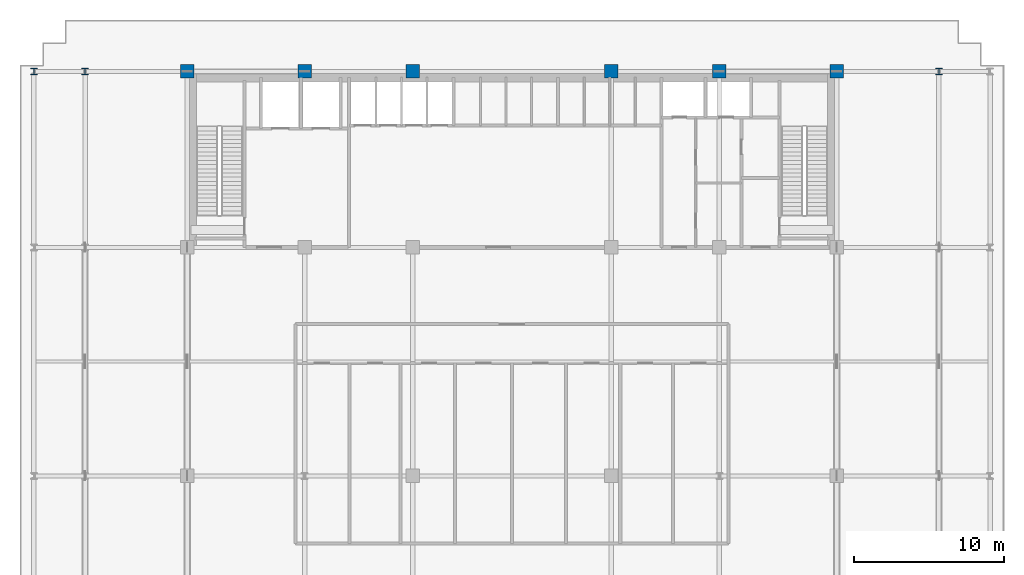
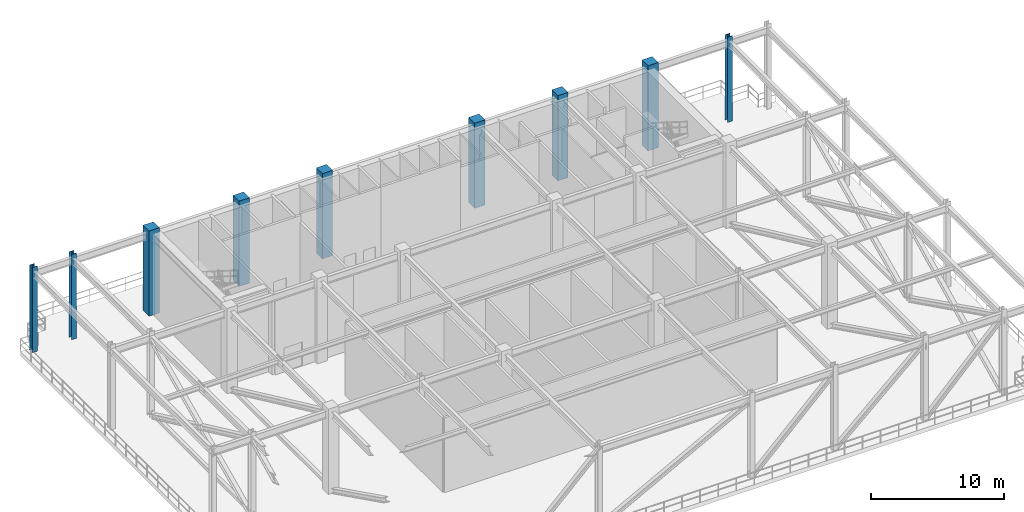
# One storey, part 2 of 16: 9 columns.
"""IFC4 building model written with IfcOpenShell, lengths in metres."""

import ifcopenshell
import ifcopenshell.guid

model = None  # the IFC model being written
_history = None  # IfcOwnerHistory: only IFC2X3 demands one
_inside = {}  # id of a spatial element -> (the spatial element, [elements in it])
_under = {}  # id of a project, library or spatial element -> (it, [spatial elements below it])
_declared = {}  # id of a project -> (the project, [libraries it declares])
_typed = {}  # id of a type object -> (the type object, [elements of that type])
_made_of = {}  # id of a material, layer set ... -> (it, [elements and type objects made of it])


def new_model(schema):
    """Start an empty IFC model of exactly this schema.

    Asked for "IFC4X3", IfcOpenShell would pick the latest addendum, in which some entities
    have other attributes; the version numbers below select the first issue.
    IFC2X3 requires an IfcOwnerHistory on every rooted entity: one is made here for all.
    """
    global model, _history
    if schema == "IFC4X3":
        model = ifcopenshell.file(schema_version=(4, 3, 0, 0))
    else:
        model = ifcopenshell.file(schema=schema)
    _inside.clear()
    _under.clear()
    _declared.clear()
    _typed.clear()
    _made_of.clear()
    _history = None
    if model.schema == "IFC2X3":
        org = make("IfcOrganization", Name="unknown")
        user = make(
            "IfcPersonAndOrganization",
            ThePerson=make("IfcPerson", FamilyName="unknown"),
            TheOrganization=org,
        )
        app = make(
            "IfcApplication",
            ApplicationDeveloper=org,
            Version="unknown",
            ApplicationFullName="unknown",
            ApplicationIdentifier="unknown",
        )
        _history = make(
            "IfcOwnerHistory",
            OwningUser=user,
            OwningApplication=app,
            ChangeAction="ADDED",
            CreationDate=0,
        )
    return model


def make(cls, **values):
    """One entity of the class cls with the attributes given. An attribute that is None is left unset."""
    return model.create_entity(
        cls, **{name: value for name, value in values.items() if value is not None}
    )


def rooted(cls, **values):
    """An entity with a GlobalId (a new one), such as an element, a storey or a relation."""
    return make(cls, GlobalId=ifcopenshell.guid.new(), OwnerHistory=_history, **values)


def si_unit(unit_type, name, prefix=None):
    """IfcSIUnit, for example si_unit("LENGTHUNIT", "METRE", prefix="MILLI")."""
    return make("IfcSIUnit", UnitType=unit_type, Prefix=prefix, Name=name)


def assignment(units):
    """IfcUnitAssignment: the units of a project."""
    return None if units is None else make("IfcUnitAssignment", Units=units)


def point(xyz):
    """IfcCartesianPoint."""
    return None if xyz is None else make("IfcCartesianPoint", Coordinates=xyz)


def direction(xyz):
    """IfcDirection."""
    return None if xyz is None else make("IfcDirection", DirectionRatios=xyz)


def frame(location, z_axis=None, x_axis=None):
    """IfcAxis2Placement3D, a coordinate frame: its origin and axes. An axis left out is left unset."""
    return make(
        "IfcAxis2Placement3D",
        Location=point(location),
        Axis=direction(z_axis),
        RefDirection=direction(x_axis),
    )


def frame_2d(location, x_axis=None):
    """IfcAxis2Placement2D, a coordinate frame in the plane: its origin and x axis."""
    return make(
        "IfcAxis2Placement2D", Location=point(location), RefDirection=direction(x_axis)
    )


def origin():
    """The frame at (0, 0, 0) with its axes left unset."""
    return frame((0.0, 0.0, 0.0))


def origin_2d():
    """The frame at (0, 0) in the plane with its x axis left unset."""
    return frame_2d((0.0, 0.0))


def place(relative_to, where):
    """IfcLocalPlacement: puts the frame where relative to a parent placement (None: the world)."""
    return make(
        "IfcLocalPlacement", PlacementRelTo=relative_to, RelativePlacement=where
    )


def context(
    kind, dimensions, precision=None, world=None, true_north=None, identifier=None
):
    """IfcGeometricRepresentationContext, for example the 3D "Model" context."""
    return make(
        "IfcGeometricRepresentationContext",
        ContextIdentifier=identifier,
        ContextType=kind,
        CoordinateSpaceDimension=dimensions,
        Precision=precision,
        WorldCoordinateSystem=world,
        TrueNorth=true_north,
    )


def subcontext(parent, identifier, kind, view, scale=None):
    """IfcGeometricRepresentationSubContext, for example "Body" below "Model"."""
    return make(
        "IfcGeometricRepresentationSubContext",
        ContextIdentifier=identifier,
        ContextType=kind,
        ParentContext=parent,
        TargetScale=scale,
        TargetView=view,
    )


def project(units=None, contexts=None):
    """IfcProject with its units and contexts."""
    return rooted(
        "IfcProject",
        Name="project",
        RepresentationContexts=contexts,
        UnitsInContext=assignment(units),
    )


def spatial(cls, under=None, at=None, **own):
    """A site, building, storey or space (cls), placed at a placement, below another one or the project."""
    s = rooted(cls, ObjectPlacement=at, **own)
    if under is not None:
        _under.setdefault(under.id(), (under, []))[1].append(s)
    return s


def profile(cls, at=None, kind="AREA", **sizes):
    """A parametric profile (cls). Its sizes go by their IFC names, for example OverallWidth=200.0."""
    return make(cls, ProfileType=kind, Position=at, **sizes)


def rectangle(**sizes):
    """IfcRectangleProfileDef."""
    return profile("IfcRectangleProfileDef", **sizes)


def i_section(**sizes):
    """IfcIShapeProfileDef."""
    return profile("IfcIShapeProfileDef", **sizes)


def extrude(swept, where, along, depth):
    """IfcExtrudedAreaSolid: the profile swept, set in the frame where, extruded along a direction by depth."""
    return make(
        "IfcExtrudedAreaSolid",
        SweptArea=swept,
        Position=where,
        ExtrudedDirection=direction(along),
        Depth=depth,
    )


def shape(context_of_items, identifier, shape_type, items):
    """IfcShapeRepresentation: the items that make up one representation, for example the "Body"."""
    return make(
        "IfcShapeRepresentation",
        ContextOfItems=context_of_items,
        RepresentationIdentifier=identifier,
        RepresentationType=shape_type,
        Items=items,
    )


def source(mapping_origin, context_of_items, identifier, shape_type, items):
    """IfcRepresentationMap: a shape defined once, which mapped items show again and again."""
    return make(
        "IfcRepresentationMap",
        MappingOrigin=mapping_origin,
        MappedRepresentation=shape(context_of_items, identifier, shape_type, items),
    )


def transform(
    local_origin,
    x_axis=None,
    y_axis=None,
    z_axis=None,
    scale=None,
    scale2=None,
    scale3=None,
    uniform=True,
):
    """IfcCartesianTransformationOperator3D, or its non-uniform kind. x_axis, y_axis, z_axis: its Axis1, 2, 3."""
    if uniform:
        return make(
            "IfcCartesianTransformationOperator3D",
            Axis1=direction(x_axis),
            Axis2=direction(y_axis),
            LocalOrigin=point(local_origin),
            Scale=scale,
            Axis3=direction(z_axis),
        )
    return make(
        "IfcCartesianTransformationOperator3DnonUniform",
        Axis1=direction(x_axis),
        Axis2=direction(y_axis),
        LocalOrigin=point(local_origin),
        Scale=scale,
        Axis3=direction(z_axis),
        Scale2=scale2,
        Scale3=scale3,
    )


def mapped(mapping_source, mapping_target):
    """IfcMappedItem: shows the shape of a source again, moved by a transform."""
    return make(
        "IfcMappedItem", MappingSource=mapping_source, MappingTarget=mapping_target
    )


def material(Name=None, Category=None):
    """IfcMaterial."""
    return make("IfcMaterial", Name=Name, Category=Category)


def material_profile(
    of_material, cross_section, Name=None, Category=None, Priority=None
):
    """IfcMaterialProfile: a cross section and its material."""
    return make(
        "IfcMaterialProfile",
        Name=Name,
        Material=of_material,
        Profile=cross_section,
        Priority=Priority,
        Category=Category,
    )


def profile_set(profiles, Name=None, composite=None):
    """IfcMaterialProfileSet."""
    return make(
        "IfcMaterialProfileSet",
        Name=Name,
        MaterialProfiles=profiles,
        CompositeProfile=composite,
    )


def made_of(thing, what):
    """Note that an element or type object is made of a material, layer set ...; save() writes the relation."""
    if what is not None:
        _made_of.setdefault(what.id(), (what, []))[1].append(thing)
    return thing


def type_object(cls, material=None, **own):
    """A type object (cls), such as IfcWallType, which elements share."""
    return made_of(rooted(cls, **own), material)


def element(
    cls,
    number,
    at=None,
    inside=None,
    cuts=None,
    type_object=None,
    material=None,
    context=None,
    identifier="Body",
    shape_type=None,
    held_by="IfcProductDefinitionShape",
    body=None,
    shapes=None,
    **own,
):
    """One element of the class cls, such as IfcWall. Its Tag is "e" and its number.

    at: its placement. inside: the storey or other place that contains it. cuts: it is an
    opening in that element (IfcRelVoidsElement). A single representation is given by context,
    identifier, shape_type and body (its items); several are given by shapes. held_by: the class
    of the entity that holds the representations. save() writes the other relations.
    """
    e = rooted(cls, Tag="e%d" % number, ObjectPlacement=at, **own)
    if body is not None:
        shapes = [shape(context, identifier, shape_type, body)]
    if shapes is not None:
        e.Representation = make(held_by, Representations=shapes)
    if inside is not None:
        _inside.setdefault(inside.id(), (inside, []))[1].append(e)
    if cuts is not None:
        rooted(
            "IfcRelVoidsElement", RelatingBuildingElement=cuts, RelatedOpeningElement=e
        )
    if type_object is not None:
        _typed.setdefault(type_object.id(), (type_object, []))[1].append(e)
    return made_of(e, material)


def aggregate(whole, parts):
    """IfcRelAggregates: a whole, such as a stair, and the parts it consists of."""
    return rooted("IfcRelAggregates", RelatingObject=whole, RelatedObjects=parts)


def save(model, path):
    """Write the relations noted so far, then the file.

    IfcRelAggregates (storeys below a building ...), IfcRelContainedInSpatialStructure (elements
    in a storey), IfcRelDefinesByType, IfcRelAssociatesMaterial and IfcRelDeclares: one each for
    every whole, place, type object, material and project.
    """
    for whole, parts in _under.values():
        aggregate(whole, parts)
    for where, things in _inside.values():
        rooted(
            "IfcRelContainedInSpatialStructure",
            RelatedElements=things,
            RelatingStructure=where,
        )
    for kind, things in _typed.values():
        rooted("IfcRelDefinesByType", RelatedObjects=things, RelatingType=kind)
    for what, things in _made_of.values():
        rooted("IfcRelAssociatesMaterial", RelatedObjects=things, RelatingMaterial=what)
    for by, libraries in _declared.values():
        rooted("IfcRelDeclares", RelatingContext=by, RelatedDefinitions=libraries)
    model.write(path)


model = new_model("IFC4")

# Units and contexts
model_context = context("Model", 3, precision=1e-05, world=origin(), true_north=direction((0.0, 1.0)))
body_context = subcontext(model_context, "Body", "Model", "MODEL_VIEW")
ifc_project = project(units=[si_unit("LENGTHUNIT", "METRE"), si_unit("AREAUNIT", "SQUARE_METRE"), si_unit("VOLUMEUNIT", "CUBIC_METRE"), si_unit("PLANEANGLEUNIT", "RADIAN"), si_unit("MASSUNIT", "GRAM", prefix="KILO")], contexts=[model_context])

# Site, building, storey
site_placement = place(None, origin())
site = spatial("IfcSite", under=ifc_project, at=site_placement, CompositionType="ELEMENT")
building_placement = place(site_placement, origin())
building = spatial("IfcBuilding", under=site, at=building_placement, Name="Trelvane Seafront Commons", CompositionType="ELEMENT")
storey_placement = place(building_placement, frame((0.0, 0.0, 73.89990234375)))
storey = spatial("IfcBuildingStorey", under=building, at=storey_placement, Name="L19", CompositionType="ELEMENT", Elevation=73.89990234375)

# Columns
ifc_material_1 = material(Name="Steel SM355 (S355)", Category="steel")
ifc_material_profile_1 = material_profile(ifc_material_1, i_section(OverallWidth=0.419921875, OverallDepth=0.419921875, WebThickness=0.02587890625, FlangeThickness=0.0400390625, at=origin_2d()), Name="HD-420x420x26x40")
ifc_profile_set_1 = profile_set([ifc_material_profile_1], Name="Steel SM355 (S355)")
column_type_1 = type_object("IfcColumnType", Name="STR-COL-HD420", PredefinedType="COLUMN", material=ifc_profile_set_1)
shared_shape_1 = source(origin(), body_context, "Body", "SweptSolid", [
    extrude(i_section(OverallWidth=0.419921875, OverallDepth=0.419921875, WebThickness=0.02587890625, FlangeThickness=0.0400390625, at=origin_2d()), origin(), (0.0, 0.0, 1.0), 7.800048828125),
])
for number, where, z_axis, x_axis, name in (
    (1, (5.39990234375, 45.10009765625, 0.0), (0.0, 0.0, 1.0), (1.0, 0.0, 0.0), "L19 Column TC-CN5.4"),
    (2, (8.800048828125, 45.10009765625, 0.0), (0.0, 0.0, 1.0), (1.0, 0.0, 0.0), "L19 Column TC-CN8.8"),
    (3, (65.60009765625, 45.10009765625, 0.0), (0.0, 0.0, 1.0), (1.0, 0.0, 0.0), "L19 Column TC-CN65.6"),
):
    element("IfcColumn", number, at=place(storey_placement, frame(where, z_axis=z_axis, x_axis=x_axis)), inside=storey, type_object=column_type_1, Name=name, PredefinedType="COLUMN", context=body_context, shape_type="MappedRepresentation", body=[
        mapped(shared_shape_1, transform((0.0, 0.0, 0.0), x_axis=(1.0, 0.0, 0.0), y_axis=(0.0, 1.0, 0.0), z_axis=(0.0, 0.0, 1.0), scale=1.0)),
    ])
ifc_material_2 = material(Name="Concrete C60/75", Category="concrete")
ifc_material_profile_2 = material_profile(ifc_material_2, rectangle(XDim=0.89990234375, YDim=0.89990234375, at=origin_2d()), Name="RC-900x900")
ifc_profile_set_2 = profile_set([ifc_material_profile_2], Name="Concrete C60/75")
column_type_2 = type_object("IfcColumnType", Name="STR-COL-RC900", PredefinedType="COLUMN", material=ifc_profile_set_2)
shared_shape_2 = source(origin(), body_context, "Body", "SweptSolid", [
    extrude(rectangle(XDim=0.89990234375, YDim=0.89990234375, at=origin_2d()), origin(), (0.0, 0.0, 1.0), 7.800048828125),
])
for number, where, z_axis, x_axis, name in (
    (4, (15.60009765625, 45.10009765625, 0.0), (0.0, 0.0, 1.0), (1.0, 0.0, 0.0), "L19 Column TC-CN15.6"),
    (5, (23.39990234375, 45.10009765625, 0.0), (0.0, 0.0, 1.0), (1.0, 0.0, 0.0), "L19 Column TC-CN23.4"),
    (6, (30.60009765625, 45.10009765625, 0.0), (0.0, 0.0, 1.0), (1.0, 0.0, 0.0), "L19 Column TC-CN30.6"),
    (7, (43.800048828125, 45.10009765625, 0.0), (0.0, 0.0, 1.0), (1.0, 0.0, 0.0), "L19 Column TC-CN43.8"),
    (8, (51.0, 45.10009765625, 0.0), (0.0, 0.0, 1.0), (1.0, 0.0, 0.0), "L19 Column TC-CN51.0"),
    (9, (58.800048828125, 45.10009765625, 0.0), (0.0, 0.0, 1.0), (1.0, 0.0, 0.0), "L19 Column TC-CN58.8"),
):
    element("IfcColumn", number, at=place(storey_placement, frame(where, z_axis=z_axis, x_axis=x_axis)), inside=storey, type_object=column_type_2, Name=name, PredefinedType="COLUMN", context=body_context, shape_type="MappedRepresentation", body=[
        mapped(shared_shape_2, transform((0.0, 0.0, 0.0), x_axis=(1.0, 0.0, 0.0), y_axis=(0.0, 1.0, 0.0), z_axis=(0.0, 0.0, 1.0), scale=1.0)),
    ])

save(model, "model.ifc")
